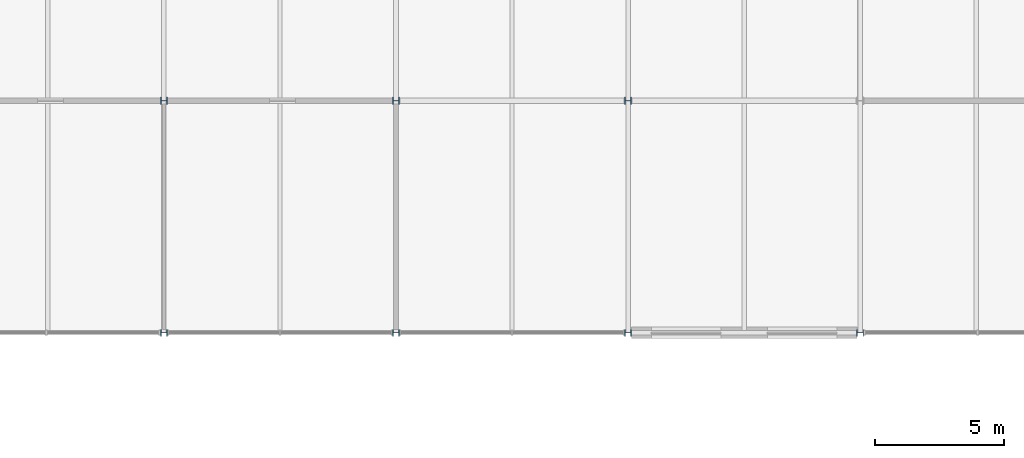
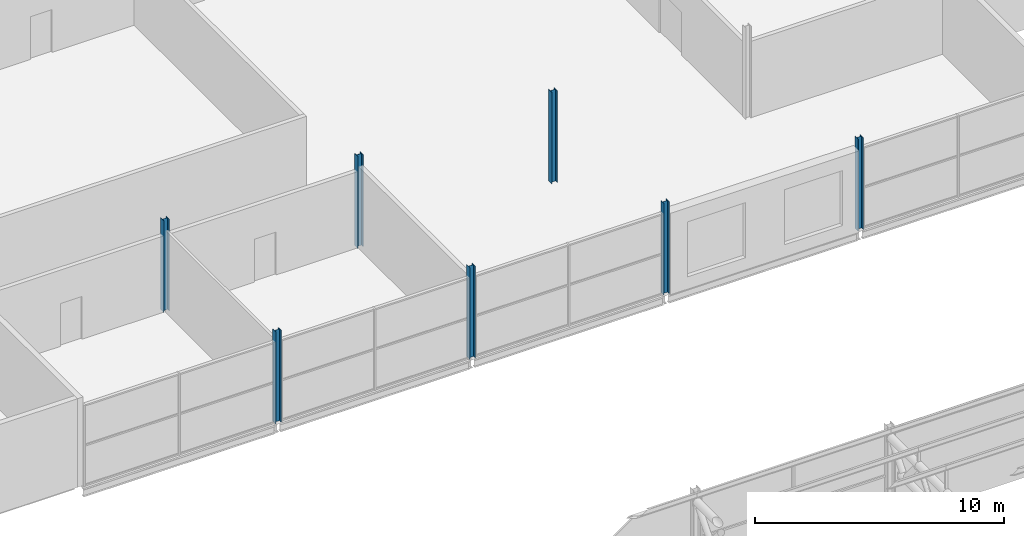
# One storey, part 10 of 138: 7 columns.
"""IFC4 building model written with IfcOpenShell, lengths in metres."""

from ifc_helpers import new_model, si_unit, direction, frame, origin, origin_2d, place, context, subcontext, project, spatial, i_section, extrude, material, material_profile, profile_set, type_object, element, save


model = new_model("IFC4")

# Units and contexts
model_context = context("Model", 3, precision=1e-05, world=origin(), true_north=direction((0.0, 1.0)))
body_context = subcontext(model_context, "Body", "Model", "MODEL_VIEW")
ifc_project = project(units=[si_unit("LENGTHUNIT", "METRE"), si_unit("AREAUNIT", "SQUARE_METRE"), si_unit("VOLUMEUNIT", "CUBIC_METRE"), si_unit("PLANEANGLEUNIT", "RADIAN"), si_unit("MASSUNIT", "GRAM", prefix="KILO")], contexts=[model_context])

# Site, building, storey
site_placement = place(None, origin())
site = spatial("IfcSite", under=ifc_project, at=site_placement, CompositionType="ELEMENT")
building_placement = place(site_placement, origin())
building = spatial("IfcBuilding", under=site, at=building_placement, Name="Corbel Yard City Hall", CompositionType="ELEMENT")
storey_placement = place(building_placement, frame((0.0, 0.0, 10.5)))
storey = spatial("IfcBuildingStorey", under=building, at=storey_placement, Name="L02", CompositionType="ELEMENT", Elevation=10.5)

# Columns
ifc_material = material(Name="Steel Grade 300 (300 MPa yield)", Category="steel")
ifc_material_profile_1 = material_profile(ifc_material, i_section(OverallWidth=0.25390625, OverallDepth=0.25390625, WebThickness=0.008544921875, FlangeThickness=0.01416015625, at=origin_2d()), Name="250UC72.9")
ifc_profile_set_1 = profile_set([ifc_material_profile_1], Name="Steel Grade 300 (300 MPa yield)")
column_type_1 = type_object("IfcColumnType", Name="Column 250UC72.9", PredefinedType="COLUMN", material=ifc_profile_set_1)
for number, where, z_axis, x_axis, name in (
    (1, (72.0, 45.0, 0.0), (0.0, 0.0, 1.0), (0.0, 1.0, 0.0), "Column 250UC72.9 F/9 L02"),
    (2, (81.0, 45.0, 0.0), (0.0, 0.0, 1.0), (0.0, 1.0, 0.0), "Column 250UC72.9 F/10 L02"),
    (3, (90.0, 45.0, 0.0), (0.0, 0.0, 1.0), (0.0, 1.0, 0.0), "Column 250UC72.9 F/11 L02"),
    (4, (99.0, 45.0, 0.0), (0.0, 0.0, 1.0), (0.0, 1.0, 0.0), "Column 250UC72.9 F/12 L02"),
):
    element("IfcColumn", number, at=place(storey_placement, frame(where, z_axis=z_axis, x_axis=x_axis)), inside=storey, type_object=column_type_1, Name=name, PredefinedType="COLUMN", context=body_context, shape_type="SweptSolid", body=[
        extrude(i_section(OverallWidth=0.25390625, OverallDepth=0.25390625, WebThickness=0.008544921875, FlangeThickness=0.01416015625, at=origin_2d()), origin(), (0.0, 0.0, 1.0), 4.5),
    ])
ifc_material_profile_2 = material_profile(ifc_material, i_section(OverallWidth=0.256103515625, OverallDepth=0.260009765625, WebThickness=0.010498046875, FlangeThickness=0.017333984375, at=origin_2d()), Name="250UC89.5")
ifc_profile_set_2 = profile_set([ifc_material_profile_2], Name="Steel Grade 300 (300 MPa yield)")
column_type_2 = type_object("IfcColumnType", Name="Column 250UC89.5", PredefinedType="COLUMN", material=ifc_profile_set_2)
for number, where, z_axis, x_axis, name in (
    (5, (72.0, 54.0, 0.0), (0.0, 0.0, 1.0), (0.0, 1.0, 0.0), "Column 250UC89.5 G/9 L02"),
    (6, (81.0, 54.0, 0.0), (0.0, 0.0, 1.0), (0.0, 1.0, 0.0), "Column 250UC89.5 G/10 L02"),
    (7, (90.0, 54.0, 0.0), (0.0, 0.0, 1.0), (0.0, 1.0, 0.0), "Column 250UC89.5 G/11 L02"),
):
    element("IfcColumn", number, at=place(storey_placement, frame(where, z_axis=z_axis, x_axis=x_axis)), inside=storey, type_object=column_type_2, Name=name, PredefinedType="COLUMN", context=body_context, shape_type="SweptSolid", body=[
        extrude(i_section(OverallWidth=0.256103515625, OverallDepth=0.260009765625, WebThickness=0.010498046875, FlangeThickness=0.017333984375, at=origin_2d()), origin(), (0.0, 0.0, 1.0), 4.5),
    ])

save(model, "model.ifc")
